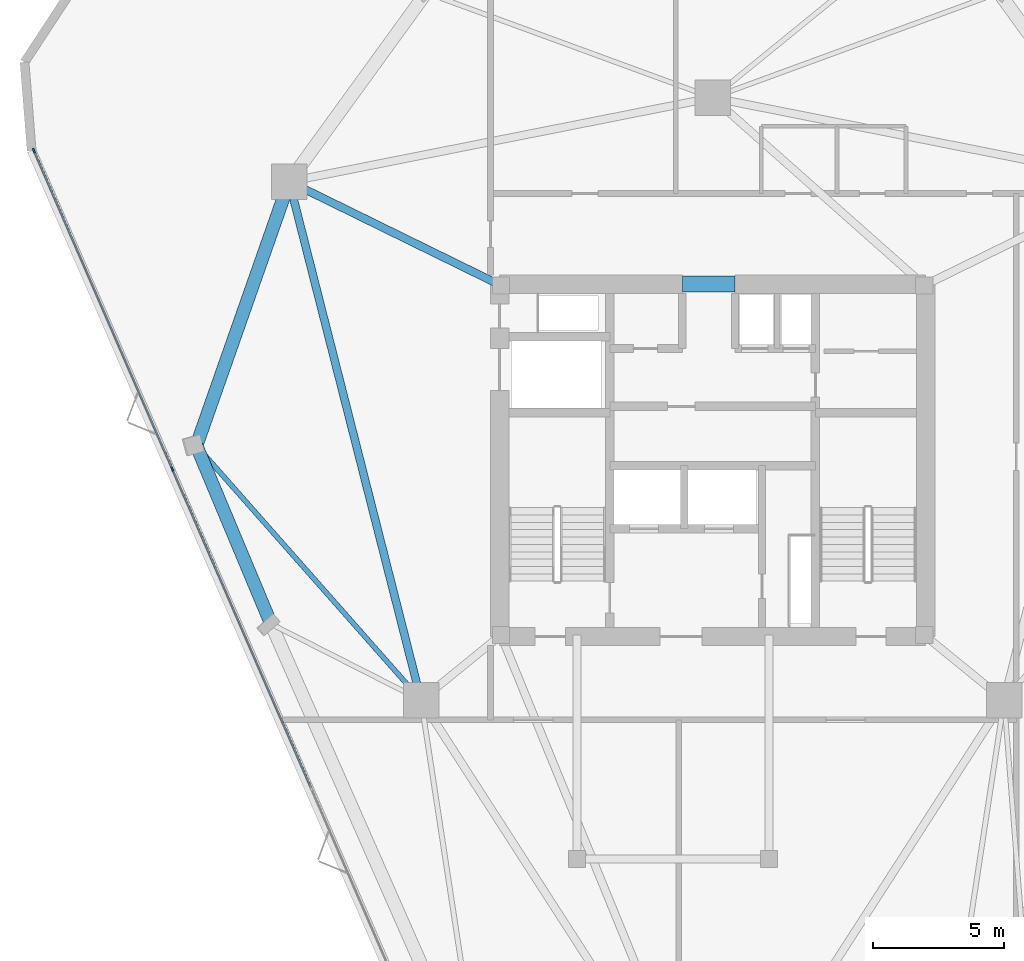
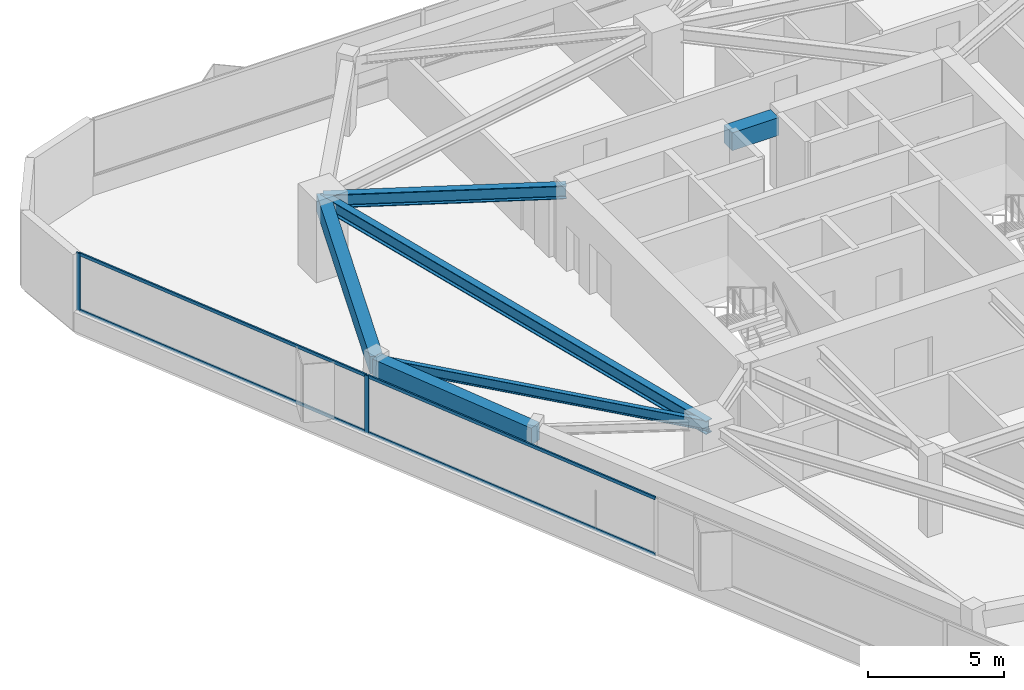
# One storey, part 5 of 12: 6 beams, 6 members, 1 element without a shape of its own.
"""IFC4 building model written with IfcOpenShell, lengths in metres."""

import ifcopenshell
import ifcopenshell.guid

model = None  # the IFC model being written
_history = None  # IfcOwnerHistory: only IFC2X3 demands one
_inside = {}  # id of a spatial element -> (the spatial element, [elements in it])
_under = {}  # id of a project, library or spatial element -> (it, [spatial elements below it])
_declared = {}  # id of a project -> (the project, [libraries it declares])
_typed = {}  # id of a type object -> (the type object, [elements of that type])
_made_of = {}  # id of a material, layer set ... -> (it, [elements and type objects made of it])


def new_model(schema):
    """Start an empty IFC model of exactly this schema.

    Asked for "IFC4X3", IfcOpenShell would pick the latest addendum, in which some entities
    have other attributes; the version numbers below select the first issue.
    IFC2X3 requires an IfcOwnerHistory on every rooted entity: one is made here for all.
    """
    global model, _history
    if schema == "IFC4X3":
        model = ifcopenshell.file(schema_version=(4, 3, 0, 0))
    else:
        model = ifcopenshell.file(schema=schema)
    _inside.clear()
    _under.clear()
    _declared.clear()
    _typed.clear()
    _made_of.clear()
    _history = None
    if model.schema == "IFC2X3":
        org = make("IfcOrganization", Name="unknown")
        user = make(
            "IfcPersonAndOrganization",
            ThePerson=make("IfcPerson", FamilyName="unknown"),
            TheOrganization=org,
        )
        app = make(
            "IfcApplication",
            ApplicationDeveloper=org,
            Version="unknown",
            ApplicationFullName="unknown",
            ApplicationIdentifier="unknown",
        )
        _history = make(
            "IfcOwnerHistory",
            OwningUser=user,
            OwningApplication=app,
            ChangeAction="ADDED",
            CreationDate=0,
        )
    return model


def make(cls, **values):
    """One entity of the class cls with the attributes given. An attribute that is None is left unset."""
    return model.create_entity(
        cls, **{name: value for name, value in values.items() if value is not None}
    )


def rooted(cls, **values):
    """An entity with a GlobalId (a new one), such as an element, a storey or a relation."""
    return make(cls, GlobalId=ifcopenshell.guid.new(), OwnerHistory=_history, **values)


def si_unit(unit_type, name, prefix=None):
    """IfcSIUnit, for example si_unit("LENGTHUNIT", "METRE", prefix="MILLI")."""
    return make("IfcSIUnit", UnitType=unit_type, Prefix=prefix, Name=name)


def assignment(units):
    """IfcUnitAssignment: the units of a project."""
    return None if units is None else make("IfcUnitAssignment", Units=units)


def point(xyz):
    """IfcCartesianPoint."""
    return None if xyz is None else make("IfcCartesianPoint", Coordinates=xyz)


def direction(xyz):
    """IfcDirection."""
    return None if xyz is None else make("IfcDirection", DirectionRatios=xyz)


def frame(location, z_axis=None, x_axis=None):
    """IfcAxis2Placement3D, a coordinate frame: its origin and axes. An axis left out is left unset."""
    return make(
        "IfcAxis2Placement3D",
        Location=point(location),
        Axis=direction(z_axis),
        RefDirection=direction(x_axis),
    )


def frame_2d(location, x_axis=None):
    """IfcAxis2Placement2D, a coordinate frame in the plane: its origin and x axis."""
    return make(
        "IfcAxis2Placement2D", Location=point(location), RefDirection=direction(x_axis)
    )


def origin():
    """The frame at (0, 0, 0) with its axes left unset."""
    return frame((0.0, 0.0, 0.0))


def origin_2d():
    """The frame at (0, 0) in the plane with its x axis left unset."""
    return frame_2d((0.0, 0.0))


def place(relative_to, where):
    """IfcLocalPlacement: puts the frame where relative to a parent placement (None: the world)."""
    return make(
        "IfcLocalPlacement", PlacementRelTo=relative_to, RelativePlacement=where
    )


def context(
    kind, dimensions, precision=None, world=None, true_north=None, identifier=None
):
    """IfcGeometricRepresentationContext, for example the 3D "Model" context."""
    return make(
        "IfcGeometricRepresentationContext",
        ContextIdentifier=identifier,
        ContextType=kind,
        CoordinateSpaceDimension=dimensions,
        Precision=precision,
        WorldCoordinateSystem=world,
        TrueNorth=true_north,
    )


def subcontext(parent, identifier, kind, view, scale=None):
    """IfcGeometricRepresentationSubContext, for example "Body" below "Model"."""
    return make(
        "IfcGeometricRepresentationSubContext",
        ContextIdentifier=identifier,
        ContextType=kind,
        ParentContext=parent,
        TargetScale=scale,
        TargetView=view,
    )


def project(units=None, contexts=None):
    """IfcProject with its units and contexts."""
    return rooted(
        "IfcProject",
        Name="project",
        RepresentationContexts=contexts,
        UnitsInContext=assignment(units),
    )


def spatial(cls, under=None, at=None, **own):
    """A site, building, storey or space (cls), placed at a placement, below another one or the project."""
    s = rooted(cls, ObjectPlacement=at, **own)
    if under is not None:
        _under.setdefault(under.id(), (under, []))[1].append(s)
    return s


def profile(cls, at=None, kind="AREA", **sizes):
    """A parametric profile (cls). Its sizes go by their IFC names, for example OverallWidth=200.0."""
    return make(cls, ProfileType=kind, Position=at, **sizes)


def rectangle(**sizes):
    """IfcRectangleProfileDef."""
    return profile("IfcRectangleProfileDef", **sizes)


def i_section(**sizes):
    """IfcIShapeProfileDef."""
    return profile("IfcIShapeProfileDef", **sizes)


def extrude(swept, where, along, depth):
    """IfcExtrudedAreaSolid: the profile swept, set in the frame where, extruded along a direction by depth."""
    return make(
        "IfcExtrudedAreaSolid",
        SweptArea=swept,
        Position=where,
        ExtrudedDirection=direction(along),
        Depth=depth,
    )


def shape(context_of_items, identifier, shape_type, items):
    """IfcShapeRepresentation: the items that make up one representation, for example the "Body"."""
    return make(
        "IfcShapeRepresentation",
        ContextOfItems=context_of_items,
        RepresentationIdentifier=identifier,
        RepresentationType=shape_type,
        Items=items,
    )


def material(Name=None, Category=None):
    """IfcMaterial."""
    return make("IfcMaterial", Name=Name, Category=Category)


def layer(
    of_material, thickness, ventilated=None, Name=None, Category=None, Priority=None
):
    """IfcMaterialLayer: one layer of a wall or slab, of a material (None: an air gap)."""
    return make(
        "IfcMaterialLayer",
        Material=of_material,
        LayerThickness=thickness,
        IsVentilated=ventilated,
        Name=Name,
        Category=Category,
        Priority=Priority,
    )


def layer_set(layers, Name=None):
    """IfcMaterialLayerSet."""
    return make("IfcMaterialLayerSet", MaterialLayers=layers, LayerSetName=Name)


def material_profile(
    of_material, cross_section, Name=None, Category=None, Priority=None
):
    """IfcMaterialProfile: a cross section and its material."""
    return make(
        "IfcMaterialProfile",
        Name=Name,
        Material=of_material,
        Profile=cross_section,
        Priority=Priority,
        Category=Category,
    )


def profile_set(profiles, Name=None, composite=None):
    """IfcMaterialProfileSet."""
    return make(
        "IfcMaterialProfileSet",
        Name=Name,
        MaterialProfiles=profiles,
        CompositeProfile=composite,
    )


def made_of(thing, what):
    """Note that an element or type object is made of a material, layer set ...; save() writes the relation."""
    if what is not None:
        _made_of.setdefault(what.id(), (what, []))[1].append(thing)
    return thing


def type_object(cls, material=None, **own):
    """A type object (cls), such as IfcWallType, which elements share."""
    return made_of(rooted(cls, **own), material)


def element(
    cls,
    number,
    at=None,
    inside=None,
    cuts=None,
    type_object=None,
    material=None,
    context=None,
    identifier="Body",
    shape_type=None,
    held_by="IfcProductDefinitionShape",
    body=None,
    shapes=None,
    **own,
):
    """One element of the class cls, such as IfcWall. Its Tag is "e" and its number.

    at: its placement. inside: the storey or other place that contains it. cuts: it is an
    opening in that element (IfcRelVoidsElement). A single representation is given by context,
    identifier, shape_type and body (its items); several are given by shapes. held_by: the class
    of the entity that holds the representations. save() writes the other relations.
    """
    e = rooted(cls, Tag="e%d" % number, ObjectPlacement=at, **own)
    if body is not None:
        shapes = [shape(context, identifier, shape_type, body)]
    if shapes is not None:
        e.Representation = make(held_by, Representations=shapes)
    if inside is not None:
        _inside.setdefault(inside.id(), (inside, []))[1].append(e)
    if cuts is not None:
        rooted(
            "IfcRelVoidsElement", RelatingBuildingElement=cuts, RelatedOpeningElement=e
        )
    if type_object is not None:
        _typed.setdefault(type_object.id(), (type_object, []))[1].append(e)
    return made_of(e, material)


def aggregate(whole, parts):
    """IfcRelAggregates: a whole, such as a stair, and the parts it consists of."""
    return rooted("IfcRelAggregates", RelatingObject=whole, RelatedObjects=parts)


def save(model, path):
    """Write the relations noted so far, then the file.

    IfcRelAggregates (storeys below a building ...), IfcRelContainedInSpatialStructure (elements
    in a storey), IfcRelDefinesByType, IfcRelAssociatesMaterial and IfcRelDeclares: one each for
    every whole, place, type object, material and project.
    """
    for whole, parts in _under.values():
        aggregate(whole, parts)
    for where, things in _inside.values():
        rooted(
            "IfcRelContainedInSpatialStructure",
            RelatedElements=things,
            RelatingStructure=where,
        )
    for kind, things in _typed.values():
        rooted("IfcRelDefinesByType", RelatedObjects=things, RelatingType=kind)
    for what, things in _made_of.values():
        rooted("IfcRelAssociatesMaterial", RelatedObjects=things, RelatingMaterial=what)
    for by, libraries in _declared.values():
        rooted("IfcRelDeclares", RelatingContext=by, RelatedDefinitions=libraries)
    model.write(path)


model = new_model("IFC4")

# Units and contexts
model_context = context("Model", 3, precision=1e-05, world=origin(), true_north=direction((0.0, 1.0)))
body_context = subcontext(model_context, "Body", "Model", "MODEL_VIEW")
ifc_project = project(units=[si_unit("LENGTHUNIT", "METRE"), si_unit("AREAUNIT", "SQUARE_METRE"), si_unit("VOLUMEUNIT", "CUBIC_METRE"), si_unit("PLANEANGLEUNIT", "RADIAN"), si_unit("MASSUNIT", "GRAM", prefix="KILO")], contexts=[model_context])

# Site, building, storey
site_placement = place(None, origin())
site = spatial("IfcSite", under=ifc_project, at=site_placement, CompositionType="ELEMENT")
building_placement = place(site_placement, origin())
building = spatial("IfcBuilding", under=site, at=building_placement, Name="Talyreon Biosciences Tower", CompositionType="ELEMENT")
storey_placement = place(building_placement, frame((0.0, 0.0, 194.0)))
storey = spatial("IfcBuildingStorey", under=building, at=storey_placement, Name="L51", CompositionType="ELEMENT", Elevation=194.0)

# Curtain wall, members
ifc_material_1 = material(Name="Thermally broken aluminium and low-E glazing", Category="aluminium")
ifc_layer = layer(ifc_material_1, 0.179931640625)
ifc_layer_set = layer_set([ifc_layer], Name="Thermally broken aluminium and low-E glazing")
curtain_wall_type = type_object("IfcCurtainWallType", Name="CurtainWall_Zone4Optical", PredefinedType="NOTDEFINED", material=ifc_layer_set)
curtain_wall_placement = place(storey_placement, origin())
curtain_wall = element("IfcCurtainWall", 1, at=curtain_wall_placement, inside=storey, type_object=curtain_wall_type, Name="L51 Unitised Curtain Wall FCW-L51-00", PredefinedType="NOTDEFINED")
ifc_material_2 = material(Name="Anodised thermally broken aluminium", Category="aluminium")
ifc_material_profile_1 = material_profile(ifc_material_2, rectangle(XDim=0.06494140625, YDim=0.179931640625, at=origin_2d()), Name="ALUM MULLION 65x180")
ifc_profile_set_1 = profile_set([ifc_material_profile_1], Name="Anodised thermally broken aluminium")
member_type_1 = type_object("IfcMemberType", Name="CWMullion_65x180", PredefinedType="MULLION", material=ifc_profile_set_1)
member_1_placement = place(storey_placement, frame((45.456787109375, 67.664794921875, 0.81005859375), z_axis=(0.0, 0.0, 1.0), x_axis=(-0.917010897502, -0.398862148946, 0.0)))
member_1 = element("IfcMember", 2, at=member_1_placement, type_object=member_type_1, Name="CW5 mullion 4", PredefinedType="MULLION", context=body_context, shape_type="SweptSolid", body=[
    extrude(rectangle(XDim=0.06494140625, YDim=0.179931640625, at=origin_2d()), origin(), (0.0, 0.0, 1.0), 2.58984375),
])
member_2_placement = place(storey_placement, frame((40.187255859375, 79.780029296875, 0.81005859375), z_axis=(0.0, 0.0, 1.0), x_axis=(-0.917010897502, -0.398862148946, 0.0)))
member_2 = element("IfcMember", 3, at=member_2_placement, type_object=member_type_1, Name="CW5 mullion 5", PredefinedType="MULLION", context=body_context, shape_type="SweptSolid", body=[
    extrude(rectangle(XDim=0.06494140625, YDim=0.179931640625, at=origin_2d()), origin(), (0.0, 0.0, 1.0), 2.58984375),
])
ifc_material_profile_2 = material_profile(ifc_material_2, rectangle(XDim=0.06494140625, YDim=0.139892578125, at=origin_2d()), Name="ALUM TRANSOM 65x140")
ifc_profile_set_2 = profile_set([ifc_material_profile_2], Name="Anodised thermally broken aluminium")
member_type_2 = type_object("IfcMemberType", Name="CWTransom_65x140", PredefinedType="USERDEFINED", material=ifc_profile_set_2)
member_3_placement = place(storey_placement, frame((50.7265625, 55.54931640625, 0.842529296875), z_axis=(-0.398872418552, 0.917006430576, 0.0), x_axis=(-0.917006430576, -0.398872418552, 0.0)))
member_3 = element("IfcMember", 4, at=member_3_placement, type_object=member_type_2, Name="CW5 transom 3.1", ObjectType="TRANSOM", PredefinedType="USERDEFINED", context=body_context, shape_type="SweptSolid", body=[
    extrude(rectangle(XDim=0.06494140625, YDim=0.139892578125, at=origin_2d()), origin(), (0.0, 0.0, 1.0), 13.17919921875),
])
member_4_placement = place(storey_placement, frame((50.7265625, 55.54931640625, 3.367431640625), z_axis=(-0.398872418552, 0.917006430576, 0.0), x_axis=(-0.917006430576, -0.398872418552, 0.0)))
member_4 = element("IfcMember", 5, at=member_4_placement, type_object=member_type_2, Name="CW5 transom 3.2", ObjectType="TRANSOM", PredefinedType="USERDEFINED", context=body_context, shape_type="SweptSolid", body=[
    extrude(rectangle(XDim=0.06494140625, YDim=0.139892578125, at=origin_2d()), origin(), (0.0, 0.0, 1.0), 13.17919921875),
])
member_5_placement = place(storey_placement, frame((45.44384765625, 67.694580078125, 0.842529296875), z_axis=(-0.39885784292, 0.917012770435, 0.0), x_axis=(-0.917012770435, -0.39885784292, 0.0)))
member_5 = element("IfcMember", 6, at=member_5_placement, type_object=member_type_2, Name="CW5 transom 4.1", ObjectType="TRANSOM", PredefinedType="USERDEFINED", context=body_context, shape_type="SweptSolid", body=[
    extrude(rectangle(XDim=0.06494140625, YDim=0.139892578125, at=origin_2d()), origin(), (0.0, 0.0, 1.0), 13.146728515625),
])
member_6_placement = place(storey_placement, frame((45.44384765625, 67.694580078125, 3.367431640625), z_axis=(-0.39885784292, 0.917012770435, 0.0), x_axis=(-0.917012770435, -0.39885784292, 0.0)))
member_6 = element("IfcMember", 7, at=member_6_placement, type_object=member_type_2, Name="CW5 transom 4.2", ObjectType="TRANSOM", PredefinedType="USERDEFINED", context=body_context, shape_type="SweptSolid", body=[
    extrude(rectangle(XDim=0.06494140625, YDim=0.139892578125, at=origin_2d()), origin(), (0.0, 0.0, 1.0), 13.146728515625),
])
aggregate(curtain_wall, [member_1, member_2, member_3, member_4, member_5, member_6])

# Beams
ifc_material_3 = material(Name="Concrete C50/60", Category="concrete")
ifc_material_profile_3 = material_profile(ifc_material_3, rectangle(XDim=0.60009765625, YDim=0.800048828125, at=origin_2d()), Name="RCB 600x800")
ifc_profile_set_3 = profile_set([ifc_material_profile_3], Name="Concrete C50/60")
beam_type_1 = type_object("IfcBeamType", Name="CoreCouplingLintel_600x800", PredefinedType="LINTEL", material=ifc_profile_set_3)
beam_1_placement = place(storey_placement, frame((64.85009765625, 74.699951171875, 3.0), z_axis=(1.0, 0.0, 0.0), x_axis=(0.0, 1.0, 0.0)))
element("IfcBeam", 8, at=beam_1_placement, inside=storey, type_object=beam_type_1, Name="L51 Core Coupling Lintel", PredefinedType="LINTEL", context=body_context, shape_type="SweptSolid", body=[
    extrude(rectangle(XDim=0.60009765625, YDim=0.800048828125, at=origin_2d()), origin(), (0.0, 0.0, 1.0), 2.0),
])
ifc_material_4 = material(Name="Precast concrete C45/55", Category="concrete")
ifc_material_profile_4 = material_profile(ifc_material_4, rectangle(XDim=0.5, YDim=0.780029296875, at=origin_2d()), Name="RCB 500x780")
ifc_profile_set_4 = profile_set([ifc_material_profile_4], Name="Precast concrete C45/55")
beam_type_2 = type_object("IfcBeamType", Name="ExpressedSpandrel_500x780", PredefinedType="SPANDREL", material=ifc_profile_set_4)
beam_2_placement = place(storey_placement, frame((49.897705078125, 78.5986328125, 3.010009765625), z_axis=(-0.331449574849, -0.943472935135, 0.0), x_axis=(0.943472935135, -0.331449574849, 0.0)))
element("IfcBeam", 9, at=beam_2_placement, inside=storey, type_object=beam_type_2, Name="L51 Expressed Horizontal Concrete Spandrel 09", PredefinedType="SPANDREL", context=body_context, shape_type="SweptSolid", body=[
    extrude(rectangle(XDim=0.5, YDim=0.780029296875, at=origin_2d()), origin(), (0.0, 0.0, 1.0), 10.6435546875),
])
beam_3_placement = place(storey_placement, frame((46.369873046875, 68.556640625, 3.010009765625), z_axis=(0.386283944337, -0.92237991866, 0.0), x_axis=(0.92237991866, 0.386283944337, 0.0)))
element("IfcBeam", 10, at=beam_3_placement, inside=storey, type_object=beam_type_2, Name="L51 Expressed Horizontal Concrete Spandrel 10", PredefinedType="SPANDREL", context=body_context, shape_type="SweptSolid", body=[
    extrude(rectangle(XDim=0.5, YDim=0.780029296875, at=origin_2d()), origin(), (0.0, 0.0, 1.0), 7.35302734375),
])
ifc_material_5 = material(Name="Steel SM355", Category="steel")
ifc_material_profile_5 = material_profile(ifc_material_5, i_section(OverallWidth=0.300048828125, OverallDepth=0.60009765625, WebThickness=0.015380859375, FlangeThickness=0.030029296875, FilletRadius=0.027099609375, at=origin_2d()), Name="HE600B")
ifc_profile_set_5 = profile_set([ifc_material_profile_5], Name="Steel SM355")
beam_type_3 = type_object("IfcBeamType", Name="SteelBeam_HE600B", PredefinedType="BEAM", material=ifc_profile_set_5)
beam_4_placement = place(storey_placement, frame((49.897705078125, 78.5986328125, 3.10009765625), z_axis=(0.246537082299, -0.969133358755, 0.0), x_axis=(0.969133358755, 0.246537082299, 0.0)))
element("IfcBeam", 11, at=beam_4_placement, inside=storey, type_object=beam_type_3, Name="L51 Mega-Ring Girder 5", PredefinedType="BEAM", context=body_context, shape_type="SweptSolid", body=[
    extrude(i_section(OverallWidth=0.300048828125, OverallDepth=0.60009765625, WebThickness=0.015380859375, FlangeThickness=0.030029296875, FilletRadius=0.027099609375, at=origin_2d()), origin(), (0.0, 0.0, 1.0), 20.34619140625),
])
beam_5_placement = place(storey_placement, frame((57.949951171875, 74.64990234375, 3.10009765625), z_axis=(-0.897852360314, 0.440296648952, 0.0), x_axis=(-0.440296648952, -0.897852360314, 0.0)))
element("IfcBeam", 12, at=beam_5_placement, inside=storey, type_object=beam_type_3, Name="L51 Radial Primary Girder 5", PredefinedType="BEAM", context=body_context, shape_type="SweptSolid", body=[
    extrude(i_section(OverallWidth=0.300048828125, OverallDepth=0.60009765625, WebThickness=0.015380859375, FlangeThickness=0.030029296875, FilletRadius=0.027099609375, at=origin_2d()), origin(), (0.0, 0.0, 1.0), 8.96826171875),
])
ifc_material_profile_6 = material_profile(ifc_material_5, i_section(OverallWidth=0.18994140625, OverallDepth=0.449951171875, WebThickness=0.009521484375, FlangeThickness=0.0146484375, FilletRadius=0.02099609375, at=origin_2d()), Name="IPE450")
ifc_profile_set_6 = profile_set([ifc_material_profile_6], Name="Steel SM355")
beam_type_4 = type_object("IfcBeamType", Name="SteelJoist_IPE450", PredefinedType="JOIST", material=ifc_profile_set_6)
beam_6_placement = place(storey_placement, frame((54.913818359375, 58.88037109375, 3.175048828125), z_axis=(-0.661885571064, 0.749604889803, 0.0), x_axis=(-0.749604889803, -0.661885571064, 0.0)))
element("IfcBeam", 13, at=beam_6_placement, inside=storey, type_object=beam_type_4, Name="L51 Radial Composite Floor Joist PC-SW1", PredefinedType="JOIST", context=body_context, shape_type="SweptSolid", body=[
    extrude(i_section(OverallWidth=0.18994140625, OverallDepth=0.449951171875, WebThickness=0.009521484375, FlangeThickness=0.0146484375, FilletRadius=0.02099609375, at=origin_2d()), origin(), (0.0, 0.0, 1.0), 12.908447265625),
])

save(model, "model.ifc")
